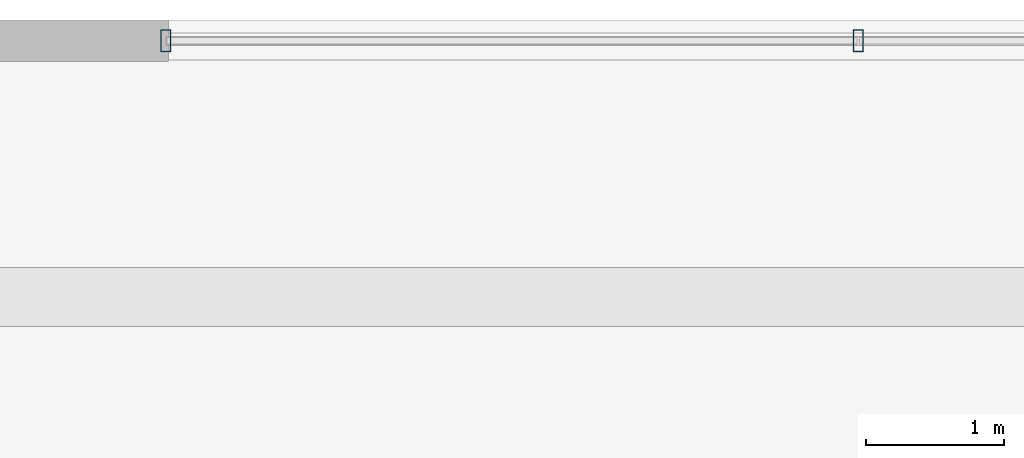
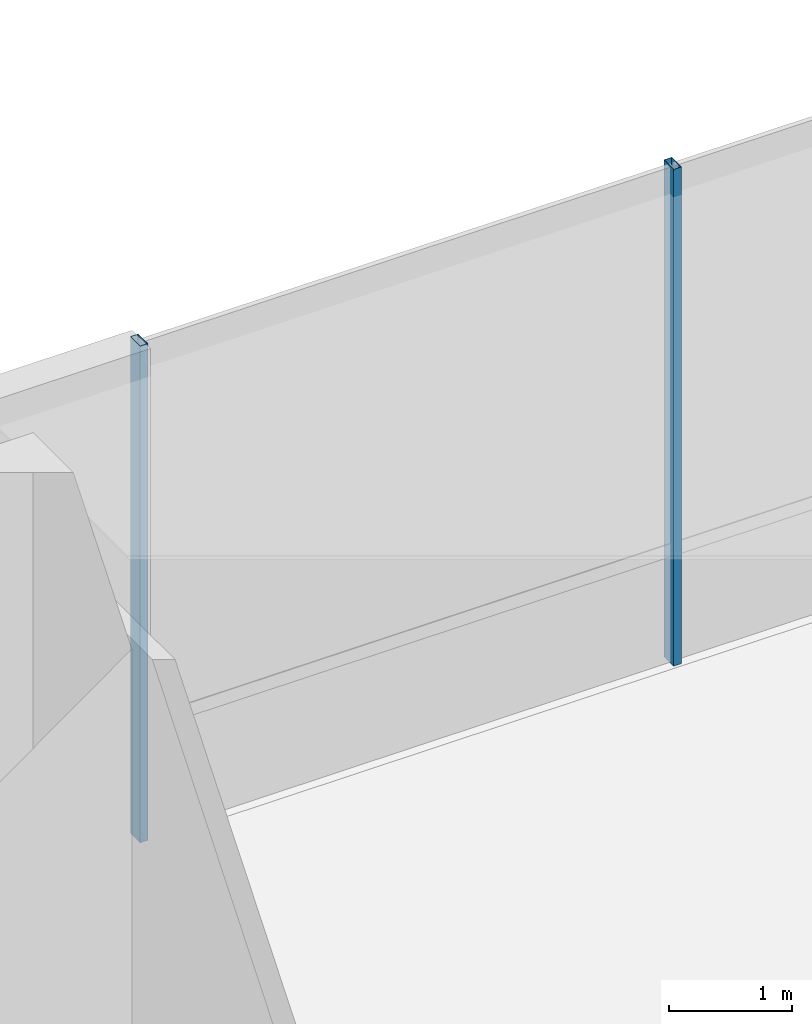
# One storey, part 14 of 39: 2 members, 1 element without a shape of its own.
"""IFC4 building model written with IfcOpenShell, lengths in metres."""

from ifc_helpers import new_model, si_unit, direction, frame, origin, origin_2d, place, context, subcontext, project, spatial, hollow_rectangle, extrude, source, transform, mapped, material, material_profile, profile_set, type_object, element, aggregate, save


model = new_model("IFC4")

# Units and contexts
model_context = context("Model", 3, precision=1e-05, world=origin(), true_north=direction((0.0, 1.0)))
body_context = subcontext(model_context, "Body", "Model", "MODEL_VIEW")
ifc_project = project(units=[si_unit("LENGTHUNIT", "METRE"), si_unit("AREAUNIT", "SQUARE_METRE"), si_unit("VOLUMEUNIT", "CUBIC_METRE"), si_unit("PLANEANGLEUNIT", "RADIAN"), si_unit("MASSUNIT", "GRAM", prefix="KILO")], contexts=[model_context])

# Site, building, storey
site_placement = place(None, origin())
site = spatial("IfcSite", under=ifc_project, at=site_placement, CompositionType="ELEMENT")
building_placement = place(site_placement, origin())
building = spatial("IfcBuilding", under=site, at=building_placement, Name="Valdorenza Pilgrim Sanctuary Tower", CompositionType="ELEMENT")
storey_placement = place(building_placement, frame((0.0, 0.0, 10.39990234375)))
storey = spatial("IfcBuildingStorey", under=building, at=storey_placement, Name="L02", CompositionType="ELEMENT", Elevation=10.39990234375)

# Curtain wall, members
ifc_material_1 = material(Name="Curtain-wall IGU glazing", Category="glass")
curtain_wall_type = type_object("IfcCurtainWallType", Name="CW-SYS-01", PredefinedType="NOTDEFINED", material=ifc_material_1)
curtain_wall_placement = place(storey_placement, origin())
curtain_wall = element("IfcCurtainWall", 1, at=curtain_wall_placement, inside=storey, type_object=curtain_wall_type, Name="L02 Curtain Wall CW-POD-L02-NN", PredefinedType="NOTDEFINED")
ifc_material_2 = material(Name="Anodised aluminium AW-6060", Category="aluminium")
ifc_material_profile = material_profile(ifc_material_2, hollow_rectangle(XDim=0.074951171875, YDim=0.159912109375, WallThickness=0.00390625, at=origin_2d()), Name="ALU-M 160x75x4")
ifc_profile_set = profile_set([ifc_material_profile], Name="Anodised aluminium AW-6060")
member_type = type_object("IfcMemberType", Name="CW-MUL-01", PredefinedType="MULLION", material=ifc_profile_set)
shared_shape = source(origin(), body_context, "Body", "SweptSolid", [
    extrude(hollow_rectangle(XDim=0.074951171875, YDim=0.159912109375, WallThickness=0.00390625, at=origin_2d()), origin(), (0.0, 0.0, 1.0), 4.920166015625),
])
member_1_placement = place(storey_placement, frame((-10.0, 22.85009765625, 0.0), z_axis=(0.0, 0.0, 1.0), x_axis=(1.0, 0.0, 0.0)))
member_1 = element("IfcMember", 2, at=member_1_placement, type_object=member_type, Name="CW-POD-L02-NN Mullion 1", PredefinedType="MULLION", context=body_context, shape_type="MappedRepresentation", body=[
    mapped(shared_shape, transform((0.0, 0.0, 0.0), x_axis=(1.0, 0.0, 0.0), y_axis=(0.0, 1.0, 0.0), z_axis=(0.0, 0.0, 1.0), scale=1.0)),
])
member_2_placement = place(storey_placement, frame((-5.0, 22.85009765625, 0.0), z_axis=(0.0, 0.0, 1.0), x_axis=(1.0, 0.0, 0.0)))
member_2 = element("IfcMember", 3, at=member_2_placement, type_object=member_type, Name="CW-POD-L02-NN Mullion 2", PredefinedType="MULLION", context=body_context, shape_type="MappedRepresentation", body=[
    mapped(shared_shape, transform((0.0, 0.0, 0.0), x_axis=(1.0, 0.0, 0.0), y_axis=(0.0, 1.0, 0.0), z_axis=(0.0, 0.0, 1.0), scale=1.0)),
])
aggregate(curtain_wall, [member_1, member_2])

save(model, "model.ifc")
